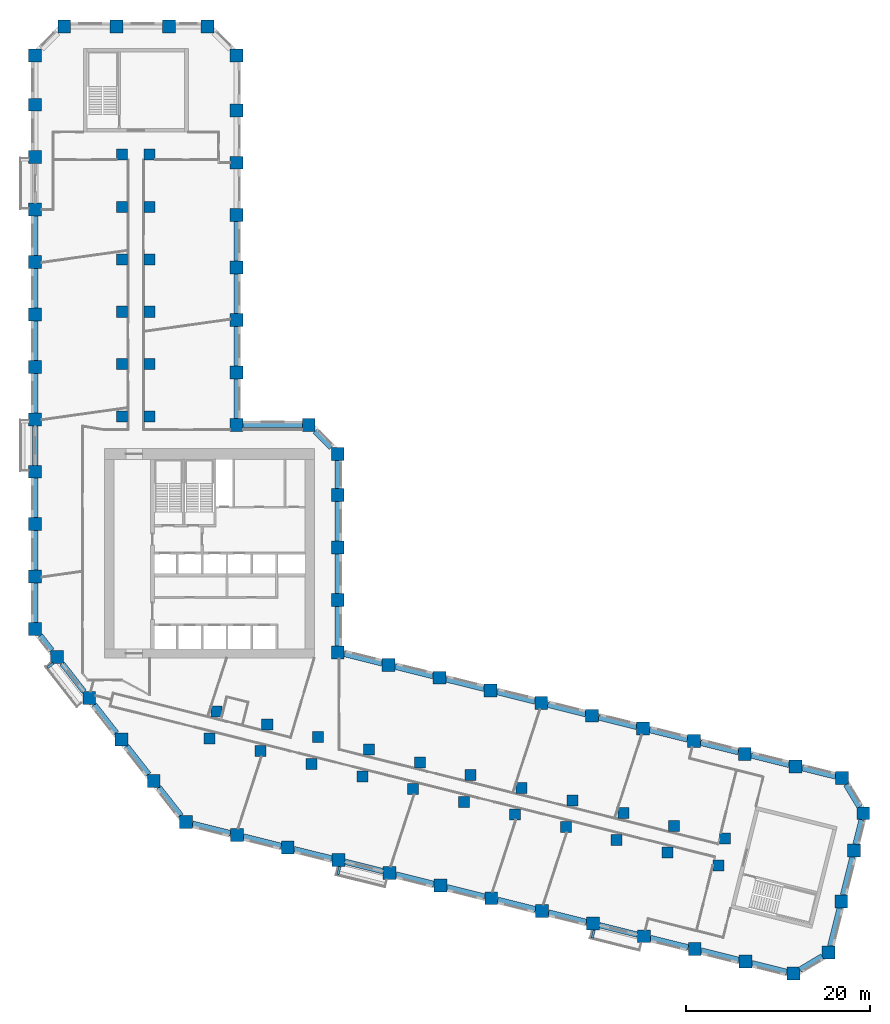
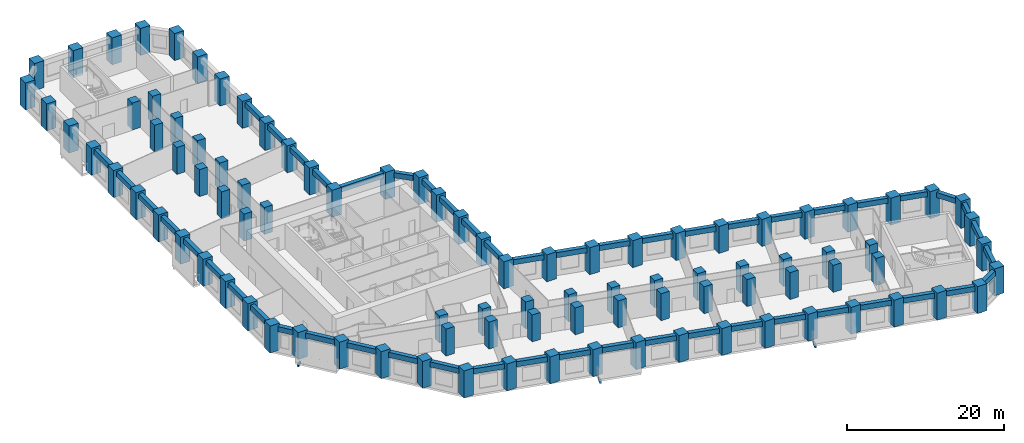
# One storey, part 1 of 12: 95 columns, 53 beams.
"""IFC4 building model written with IfcOpenShell, lengths in metres."""

import ifcopenshell
import ifcopenshell.guid

model = None  # the IFC model being written
_history = None  # IfcOwnerHistory: only IFC2X3 demands one
_inside = {}  # id of a spatial element -> (the spatial element, [elements in it])
_under = {}  # id of a project, library or spatial element -> (it, [spatial elements below it])
_declared = {}  # id of a project -> (the project, [libraries it declares])
_typed = {}  # id of a type object -> (the type object, [elements of that type])
_made_of = {}  # id of a material, layer set ... -> (it, [elements and type objects made of it])


def new_model(schema):
    """Start an empty IFC model of exactly this schema.

    Asked for "IFC4X3", IfcOpenShell would pick the latest addendum, in which some entities
    have other attributes; the version numbers below select the first issue.
    IFC2X3 requires an IfcOwnerHistory on every rooted entity: one is made here for all.
    """
    global model, _history
    if schema == "IFC4X3":
        model = ifcopenshell.file(schema_version=(4, 3, 0, 0))
    else:
        model = ifcopenshell.file(schema=schema)
    _inside.clear()
    _under.clear()
    _declared.clear()
    _typed.clear()
    _made_of.clear()
    _history = None
    if model.schema == "IFC2X3":
        org = make("IfcOrganization", Name="unknown")
        user = make(
            "IfcPersonAndOrganization",
            ThePerson=make("IfcPerson", FamilyName="unknown"),
            TheOrganization=org,
        )
        app = make(
            "IfcApplication",
            ApplicationDeveloper=org,
            Version="unknown",
            ApplicationFullName="unknown",
            ApplicationIdentifier="unknown",
        )
        _history = make(
            "IfcOwnerHistory",
            OwningUser=user,
            OwningApplication=app,
            ChangeAction="ADDED",
            CreationDate=0,
        )
    return model


def make(cls, **values):
    """One entity of the class cls with the attributes given. An attribute that is None is left unset."""
    return model.create_entity(
        cls, **{name: value for name, value in values.items() if value is not None}
    )


def rooted(cls, **values):
    """An entity with a GlobalId (a new one), such as an element, a storey or a relation."""
    return make(cls, GlobalId=ifcopenshell.guid.new(), OwnerHistory=_history, **values)


def si_unit(unit_type, name, prefix=None):
    """IfcSIUnit, for example si_unit("LENGTHUNIT", "METRE", prefix="MILLI")."""
    return make("IfcSIUnit", UnitType=unit_type, Prefix=prefix, Name=name)


def assignment(units):
    """IfcUnitAssignment: the units of a project."""
    return None if units is None else make("IfcUnitAssignment", Units=units)


def point(xyz):
    """IfcCartesianPoint."""
    return None if xyz is None else make("IfcCartesianPoint", Coordinates=xyz)


def direction(xyz):
    """IfcDirection."""
    return None if xyz is None else make("IfcDirection", DirectionRatios=xyz)


def frame(location, z_axis=None, x_axis=None):
    """IfcAxis2Placement3D, a coordinate frame: its origin and axes. An axis left out is left unset."""
    return make(
        "IfcAxis2Placement3D",
        Location=point(location),
        Axis=direction(z_axis),
        RefDirection=direction(x_axis),
    )


def frame_2d(location, x_axis=None):
    """IfcAxis2Placement2D, a coordinate frame in the plane: its origin and x axis."""
    return make(
        "IfcAxis2Placement2D", Location=point(location), RefDirection=direction(x_axis)
    )


def origin():
    """The frame at (0, 0, 0) with its axes left unset."""
    return frame((0.0, 0.0, 0.0))


def origin_2d():
    """The frame at (0, 0) in the plane with its x axis left unset."""
    return frame_2d((0.0, 0.0))


def place(relative_to, where):
    """IfcLocalPlacement: puts the frame where relative to a parent placement (None: the world)."""
    return make(
        "IfcLocalPlacement", PlacementRelTo=relative_to, RelativePlacement=where
    )


def context(
    kind, dimensions, precision=None, world=None, true_north=None, identifier=None
):
    """IfcGeometricRepresentationContext, for example the 3D "Model" context."""
    return make(
        "IfcGeometricRepresentationContext",
        ContextIdentifier=identifier,
        ContextType=kind,
        CoordinateSpaceDimension=dimensions,
        Precision=precision,
        WorldCoordinateSystem=world,
        TrueNorth=true_north,
    )


def subcontext(parent, identifier, kind, view, scale=None):
    """IfcGeometricRepresentationSubContext, for example "Body" below "Model"."""
    return make(
        "IfcGeometricRepresentationSubContext",
        ContextIdentifier=identifier,
        ContextType=kind,
        ParentContext=parent,
        TargetScale=scale,
        TargetView=view,
    )


def project(units=None, contexts=None):
    """IfcProject with its units and contexts."""
    return rooted(
        "IfcProject",
        Name="project",
        RepresentationContexts=contexts,
        UnitsInContext=assignment(units),
    )


def spatial(cls, under=None, at=None, **own):
    """A site, building, storey or space (cls), placed at a placement, below another one or the project."""
    s = rooted(cls, ObjectPlacement=at, **own)
    if under is not None:
        _under.setdefault(under.id(), (under, []))[1].append(s)
    return s


def profile(cls, at=None, kind="AREA", **sizes):
    """A parametric profile (cls). Its sizes go by their IFC names, for example OverallWidth=200.0."""
    return make(cls, ProfileType=kind, Position=at, **sizes)


def rectangle(**sizes):
    """IfcRectangleProfileDef."""
    return profile("IfcRectangleProfileDef", **sizes)


def extrude(swept, where, along, depth):
    """IfcExtrudedAreaSolid: the profile swept, set in the frame where, extruded along a direction by depth."""
    return make(
        "IfcExtrudedAreaSolid",
        SweptArea=swept,
        Position=where,
        ExtrudedDirection=direction(along),
        Depth=depth,
    )


def shape(context_of_items, identifier, shape_type, items):
    """IfcShapeRepresentation: the items that make up one representation, for example the "Body"."""
    return make(
        "IfcShapeRepresentation",
        ContextOfItems=context_of_items,
        RepresentationIdentifier=identifier,
        RepresentationType=shape_type,
        Items=items,
    )


def material(Name=None, Category=None):
    """IfcMaterial."""
    return make("IfcMaterial", Name=Name, Category=Category)


def material_profile(
    of_material, cross_section, Name=None, Category=None, Priority=None
):
    """IfcMaterialProfile: a cross section and its material."""
    return make(
        "IfcMaterialProfile",
        Name=Name,
        Material=of_material,
        Profile=cross_section,
        Priority=Priority,
        Category=Category,
    )


def profile_set(profiles, Name=None, composite=None):
    """IfcMaterialProfileSet."""
    return make(
        "IfcMaterialProfileSet",
        Name=Name,
        MaterialProfiles=profiles,
        CompositeProfile=composite,
    )


def made_of(thing, what):
    """Note that an element or type object is made of a material, layer set ...; save() writes the relation."""
    if what is not None:
        _made_of.setdefault(what.id(), (what, []))[1].append(thing)
    return thing


def type_object(cls, material=None, **own):
    """A type object (cls), such as IfcWallType, which elements share."""
    return made_of(rooted(cls, **own), material)


def element(
    cls,
    number,
    at=None,
    inside=None,
    cuts=None,
    type_object=None,
    material=None,
    context=None,
    identifier="Body",
    shape_type=None,
    held_by="IfcProductDefinitionShape",
    body=None,
    shapes=None,
    **own,
):
    """One element of the class cls, such as IfcWall. Its Tag is "e" and its number.

    at: its placement. inside: the storey or other place that contains it. cuts: it is an
    opening in that element (IfcRelVoidsElement). A single representation is given by context,
    identifier, shape_type and body (its items); several are given by shapes. held_by: the class
    of the entity that holds the representations. save() writes the other relations.
    """
    e = rooted(cls, Tag="e%d" % number, ObjectPlacement=at, **own)
    if body is not None:
        shapes = [shape(context, identifier, shape_type, body)]
    if shapes is not None:
        e.Representation = make(held_by, Representations=shapes)
    if inside is not None:
        _inside.setdefault(inside.id(), (inside, []))[1].append(e)
    if cuts is not None:
        rooted(
            "IfcRelVoidsElement", RelatingBuildingElement=cuts, RelatedOpeningElement=e
        )
    if type_object is not None:
        _typed.setdefault(type_object.id(), (type_object, []))[1].append(e)
    return made_of(e, material)


def aggregate(whole, parts):
    """IfcRelAggregates: a whole, such as a stair, and the parts it consists of."""
    return rooted("IfcRelAggregates", RelatingObject=whole, RelatedObjects=parts)


def save(model, path):
    """Write the relations noted so far, then the file.

    IfcRelAggregates (storeys below a building ...), IfcRelContainedInSpatialStructure (elements
    in a storey), IfcRelDefinesByType, IfcRelAssociatesMaterial and IfcRelDeclares: one each for
    every whole, place, type object, material and project.
    """
    for whole, parts in _under.values():
        aggregate(whole, parts)
    for where, things in _inside.values():
        rooted(
            "IfcRelContainedInSpatialStructure",
            RelatedElements=things,
            RelatingStructure=where,
        )
    for kind, things in _typed.values():
        rooted("IfcRelDefinesByType", RelatedObjects=things, RelatingType=kind)
    for what, things in _made_of.values():
        rooted("IfcRelAssociatesMaterial", RelatedObjects=things, RelatingMaterial=what)
    for by, libraries in _declared.values():
        rooted("IfcRelDeclares", RelatingContext=by, RelatedDefinitions=libraries)
    model.write(path)


model = new_model("IFC4")

# Units and contexts
model_context = context("Model", 3, precision=1e-05, world=origin(), true_north=direction((0.0, 1.0)))
body_context = subcontext(model_context, "Body", "Model", "MODEL_VIEW")
ifc_project = project(units=[si_unit("LENGTHUNIT", "METRE"), si_unit("AREAUNIT", "SQUARE_METRE"), si_unit("VOLUMEUNIT", "CUBIC_METRE"), si_unit("PLANEANGLEUNIT", "RADIAN"), si_unit("MASSUNIT", "GRAM", prefix="KILO")], contexts=[model_context])

# Site, building, storey
site_placement = place(None, origin())
site = spatial("IfcSite", under=ifc_project, at=site_placement, CompositionType="ELEMENT")
building_placement = place(site_placement, origin())
building = spatial("IfcBuilding", under=site, at=building_placement, Name="Meshkara Civic Tower", CompositionType="ELEMENT")
storey_placement = place(building_placement, frame((0.0, 0.0, 58.199951171875)))
storey = spatial("IfcBuildingStorey", under=building, at=storey_placement, Name="L12", CompositionType="ELEMENT", Elevation=58.199951171875)

# Columns
ifc_material_1 = material(Name="Concrete C80", Category="concrete")
ifc_material_profile_1 = material_profile(ifc_material_1, rectangle(XDim=1.199951171875, YDim=1.199951171875, at=origin_2d()))
ifc_profile_set_1 = profile_set([ifc_material_profile_1], Name="Concrete C80")
column_type_1 = type_object("IfcColumnType", Name="Interior column RC 1200x1200 C80", PredefinedType="COLUMN", material=ifc_profile_set_1)
for number, where, z_axis, x_axis, name in (
    (1, (9.89990234375, 40.35009765625, 0.0), (0.0, 0.0, 1.0), (1.0, 0.0, 0.0), "Column SA1-04 L12"),
    (2, (9.89990234375, 46.050048828125, 0.0), (0.0, 0.0, 1.0), (1.0, 0.0, 0.0), "Column SA1-05 L12"),
    (3, (9.89990234375, 51.75, 0.0), (0.0, 0.0, 1.0), (1.0, 0.0, 0.0), "Column SA1-06 L12"),
    (4, (9.89990234375, 57.449951171875, 0.0), (0.0, 0.0, 1.0), (1.0, 0.0, 0.0), "Column SA1-07 L12"),
    (5, (9.89990234375, 63.14990234375, 0.0), (0.0, 0.0, 1.0), (1.0, 0.0, 0.0), "Column SA1-08 L12"),
    (6, (9.89990234375, 68.85009765625, 0.0), (0.0, 0.0, 1.0), (1.0, 0.0, 0.0), "Column SA1-09 L12"),
    (7, (12.89990234375, 40.35009765625, 0.0), (0.0, 0.0, 1.0), (1.0, 0.0, 0.0), "Column SA2-04 L12"),
    (8, (12.89990234375, 46.050048828125, 0.0), (0.0, 0.0, 1.0), (1.0, 0.0, 0.0), "Column SA2-05 L12"),
    (9, (12.89990234375, 51.75, 0.0), (0.0, 0.0, 1.0), (1.0, 0.0, 0.0), "Column SA2-06 L12"),
    (10, (12.89990234375, 57.449951171875, 0.0), (0.0, 0.0, 1.0), (1.0, 0.0, 0.0), "Column SA2-07 L12"),
    (11, (12.89990234375, 63.14990234375, 0.0), (0.0, 0.0, 1.0), (1.0, 0.0, 0.0), "Column SA2-08 L12"),
    (12, (12.89990234375, 68.85009765625, 0.0), (0.0, 0.0, 1.0), (1.0, 0.0, 0.0), "Column SA2-09 L12"),
    (13, (19.424072265625, 5.360107421875, 0.0), (0.0, 0.0, 1.0), (1.0, 0.0, 0.0), "Column SB1-00 L12"),
    (14, (24.9541015625, 3.98095703125, 0.0), (0.0, 0.0, 1.0), (1.0, 0.0, 0.0), "Column SB1-01 L12"),
    (15, (30.485107421875, 2.60205078125, 0.0), (0.0, 0.0, 1.0), (1.0, 0.0, 0.0), "Column SB1-02 L12"),
    (16, (36.01611328125, 1.222900390625, 0.0), (0.0, 0.0, 1.0), (1.0, 0.0, 0.0), "Column SB1-03 L12"),
    (17, (41.5458984375, -0.156005859375, 0.0), (0.0, 0.0, 1.0), (1.0, 0.0, 0.0), "Column SB1-04 L12"),
    (18, (47.076904296875, -1.534912109375, 0.0), (0.0, 0.0, 1.0), (1.0, 0.0, 0.0), "Column SB1-05 L12"),
    (19, (52.60791015625, -2.9140625, 0.0), (0.0, 0.0, 1.0), (1.0, 0.0, 0.0), "Column SB1-06 L12"),
    (20, (58.138916015625, -4.2919921875, 0.0), (0.0, 0.0, 1.0), (1.0, 0.0, 0.0), "Column SB1-07 L12"),
    (21, (63.6689453125, -5.6708984375, 0.0), (0.0, 0.0, 1.0), (1.0, 0.0, 0.0), "Column SB1-08 L12"),
    (22, (69.199951171875, -7.050048828125, 0.0), (0.0, 0.0, 1.0), (1.0, 0.0, 0.0), "Column SB1-09 L12"),
    (23, (74.73095703125, -8.428955078125, 0.0), (0.0, 0.0, 1.0), (1.0, 0.0, 0.0), "Column SB1-10 L12"),
    (24, (20.14892578125, 8.27099609375, 0.0), (0.0, 0.0, 1.0), (1.0, 0.0, 0.0), "Column SB2-00 L12"),
    (25, (25.679931640625, 6.89208984375, 0.0), (0.0, 0.0, 1.0), (1.0, 0.0, 0.0), "Column SB2-01 L12"),
    (26, (31.2109375, 5.512939453125, 0.0), (0.0, 0.0, 1.0), (1.0, 0.0, 0.0), "Column SB2-02 L12"),
    (27, (36.741943359375, 4.134033203125, 0.0), (0.0, 0.0, 1.0), (1.0, 0.0, 0.0), "Column SB2-03 L12"),
    (28, (42.27197265625, 2.7548828125, 0.0), (0.0, 0.0, 1.0), (1.0, 0.0, 0.0), "Column SB2-04 L12"),
    (29, (47.802978515625, 1.3759765625, 0.0), (0.0, 0.0, 1.0), (1.0, 0.0, 0.0), "Column SB2-05 L12"),
    (30, (53.333984375, -0.0029296875, 0.0), (0.0, 0.0, 1.0), (1.0, 0.0, 0.0), "Column SB2-06 L12"),
    (31, (58.864013671875, -1.382080078125, 0.0), (0.0, 0.0, 1.0), (1.0, 0.0, 0.0), "Column SB2-07 L12"),
    (32, (64.39501953125, -2.760986328125, 0.0), (0.0, 0.0, 1.0), (1.0, 0.0, 0.0), "Column SB2-08 L12"),
    (33, (69.926025390625, -4.139892578125, 0.0), (0.0, 0.0, 1.0), (1.0, 0.0, 0.0), "Column SB2-09 L12"),
    (34, (75.4560546875, -5.51806640625, 0.0), (0.0, 0.0, 1.0), (1.0, 0.0, 0.0), "Column SB2-10 L12"),
):
    element("IfcColumn", number, at=place(storey_placement, frame(where, z_axis=z_axis, x_axis=x_axis)), inside=storey, type_object=column_type_1, Name=name, PredefinedType="COLUMN", context=body_context, shape_type="SweptSolid", body=[
        extrude(rectangle(XDim=1.199951171875, YDim=1.199951171875, at=origin_2d()), origin(), (0.0, 0.0, 1.0), 4.199951171875),
    ])
ifc_material_2 = material(Name="Concrete C80", Category="concrete")
ifc_material_profile_2 = material_profile(ifc_material_2, rectangle(XDim=1.39990234375, YDim=1.39990234375, at=origin_2d()))
ifc_profile_set_2 = profile_set([ifc_material_profile_2], Name="Concrete C80")
column_type_2 = type_object("IfcColumnType", Name="Perimeter column RC 1400x1400 C80", PredefinedType="COLUMN", material=ifc_profile_set_2)
for number, where, z_axis, x_axis, name in (
    (35, (33.35009765625, 14.718994140625, 0.0), (0.0, 0.0, 1.0), (1.0, 0.0, 0.0), "Column HE00 L12"),
    (36, (33.35009765625, 20.4189453125, 0.0), (0.0, 0.0, 1.0), (1.0, 0.0, 0.0), "Column HE01 L12"),
    (37, (33.35009765625, 26.118896484375, 0.0), (0.0, 0.0, 1.0), (1.0, 0.0, 0.0), "Column HE02 L12"),
    (38, (33.35009765625, 31.819091796875, 0.0), (0.0, 0.0, 1.0), (1.0, 0.0, 0.0), "Column HE03 L12"),
    (39, (33.35009765625, 36.2939453125, 0.0), (0.0, 0.0, 1.0), (1.0, 0.0, 0.0), "Column HEE L12"),
    (40, (30.194091796875, 39.449951171875, 0.0), (0.0, 0.0, 1.0), (1.0, 0.0, 0.0), "Column HCeE L12"),
    (41, (22.35009765625, 39.449951171875, 0.0), (0.0, 0.0, 1.0), (1.0, 0.0, 0.0), "Column HN00 L12"),
    (42, (22.35009765625, 45.14990234375, 0.0), (0.0, 0.0, 1.0), (1.0, 0.0, 0.0), "Column AE01 L12"),
    (43, (22.35009765625, 50.85009765625, 0.0), (0.0, 0.0, 1.0), (1.0, 0.0, 0.0), "Column AE02 L12"),
    (44, (22.35009765625, 56.550048828125, 0.0), (0.0, 0.0, 1.0), (1.0, 0.0, 0.0), "Column AE03 L12"),
    (45, (22.35009765625, 62.25, 0.0), (0.0, 0.0, 1.0), (1.0, 0.0, 0.0), "Column AE04 L12"),
    (46, (22.35009765625, 67.949951171875, 0.0), (0.0, 0.0, 1.0), (1.0, 0.0, 0.0), "Column AE05 L12"),
    (47, (22.35009765625, 73.64990234375, 0.0), (0.0, 0.0, 1.0), (1.0, 0.0, 0.0), "Column AE06 L12"),
    (48, (22.35009765625, 79.614013671875, 0.0), (0.0, 0.0, 1.0), (1.0, 0.0, 0.0), "Column AEE L12"),
    (49, (19.194091796875, 82.77001953125, 0.0), (0.0, 0.0, 1.0), (1.0, 0.0, 0.0), "Column ATiE L12"),
    (50, (3.60595703125, 82.77001953125, 0.0), (0.0, 0.0, 1.0), (1.0, 0.0, 0.0), "Column AT00 L12"),
    (51, (9.305908203125, 82.77001953125, 0.0), (0.0, 0.0, 1.0), (1.0, 0.0, 0.0), "Column AT01 L12"),
    (52, (15.006103515625, 82.77001953125, 0.0), (0.0, 0.0, 1.0), (1.0, 0.0, 0.0), "Column AT02 L12"),
    (53, (0.449951171875, 79.614013671875, 0.0), (0.0, 0.0, 1.0), (1.0, 0.0, 0.0), "Column ATo00 L12"),
    (54, (0.449951171875, 17.2548828125, 0.0), (0.0, 0.0, 1.0), (1.0, 0.0, 0.0), "Column AW00 L12"),
    (55, (0.449951171875, 22.955078125, 0.0), (0.0, 0.0, 1.0), (1.0, 0.0, 0.0), "Column AW01 L12"),
    (56, (0.449951171875, 28.655029296875, 0.0), (0.0, 0.0, 1.0), (1.0, 0.0, 0.0), "Column AW02 L12"),
    (57, (0.449951171875, 34.35498046875, 0.0), (0.0, 0.0, 1.0), (1.0, 0.0, 0.0), "Column AW03 L12"),
    (58, (0.449951171875, 40.054931640625, 0.0), (0.0, 0.0, 1.0), (1.0, 0.0, 0.0), "Column AW04 L12"),
    (59, (0.449951171875, 45.7548828125, 0.0), (0.0, 0.0, 1.0), (1.0, 0.0, 0.0), "Column AW05 L12"),
    (60, (0.449951171875, 51.455078125, 0.0), (0.0, 0.0, 1.0), (1.0, 0.0, 0.0), "Column AW06 L12"),
    (61, (0.449951171875, 57.155029296875, 0.0), (0.0, 0.0, 1.0), (1.0, 0.0, 0.0), "Column AW07 L12"),
    (62, (0.449951171875, 62.85498046875, 0.0), (0.0, 0.0, 1.0), (1.0, 0.0, 0.0), "Column AW08 L12"),
    (63, (0.449951171875, 68.554931640625, 0.0), (0.0, 0.0, 1.0), (1.0, 0.0, 0.0), "Column AW09 L12"),
    (64, (0.449951171875, 74.2548828125, 0.0), (0.0, 0.0, 1.0), (1.0, 0.0, 0.0), "Column AW10 L12"),
    (65, (16.85107421875, -3.738037109375, 0.0), (0.0, 0.0, 1.0), (1.0, 0.0, 0.0), "Column BOW00 L12"),
    (66, (13.342041015625, 0.75390625, 0.0), (0.0, 0.0, 1.0), (1.0, 0.0, 0.0), "Column BOW01 L12"),
    (67, (9.8330078125, 5.2451171875, 0.0), (0.0, 0.0, 1.0), (1.0, 0.0, 0.0), "Column BOW02 L12"),
    (68, (6.322998046875, 9.737060546875, 0.0), (0.0, 0.0, 1.0), (1.0, 0.0, 0.0), "Column BOW03 L12"),
    (69, (2.81396484375, 14.22900390625, 0.0), (0.0, 0.0, 1.0), (1.0, 0.0, 0.0), "Column BOW04 L12"),
    (70, (22.382080078125, -5.116943359375, 0.0), (0.0, 0.0, 1.0), (1.0, 0.0, 0.0), "Column BS01 L12"),
    (71, (27.912109375, -6.49609375, 0.0), (0.0, 0.0, 1.0), (1.0, 0.0, 0.0), "Column BS02 L12"),
    (72, (33.443115234375, -7.875, 0.0), (0.0, 0.0, 1.0), (1.0, 0.0, 0.0), "Column BS03 L12"),
    (73, (38.97412109375, -9.25390625, 0.0), (0.0, 0.0, 1.0), (1.0, 0.0, 0.0), "Column BS04 L12"),
    (74, (44.5048828125, -10.632080078125, 0.0), (0.0, 0.0, 1.0), (1.0, 0.0, 0.0), "Column BS05 L12"),
    (75, (50.034912109375, -12.010986328125, 0.0), (0.0, 0.0, 1.0), (1.0, 0.0, 0.0), "Column BS06 L12"),
    (76, (55.56591796875, -13.389892578125, 0.0), (0.0, 0.0, 1.0), (1.0, 0.0, 0.0), "Column BS07 L12"),
    (77, (61.096923828125, -14.76904296875, 0.0), (0.0, 0.0, 1.0), (1.0, 0.0, 0.0), "Column BS08 L12"),
    (78, (66.626953125, -16.14794921875, 0.0), (0.0, 0.0, 1.0), (1.0, 0.0, 0.0), "Column BS09 L12"),
    (79, (72.157958984375, -17.527099609375, 0.0), (0.0, 0.0, 1.0), (1.0, 0.0, 0.0), "Column BS10 L12"),
    (80, (77.68896484375, -18.906005859375, 0.0), (0.0, 0.0, 1.0), (1.0, 0.0, 0.0), "Column BS11 L12"),
    (81, (82.887939453125, -20.201904296875, 0.0), (0.0, 0.0, 1.0), (1.0, 0.0, 0.0), "Column BSE L12"),
    (82, (86.714111328125, -17.903076171875, 0.0), (0.0, 0.0, 1.0), (1.0, 0.0, 0.0), "Column BToE L12"),
    (83, (88.093017578125, -12.3720703125, 0.0), (0.0, 0.0, 1.0), (1.0, 0.0, 0.0), "Column BT01 L12"),
    (84, (89.471923828125, -6.842041015625, 0.0), (0.0, 0.0, 1.0), (1.0, 0.0, 0.0), "Column BT02 L12"),
    (85, (90.485107421875, -2.779052734375, 0.0), (0.0, 0.0, 1.0), (1.0, 0.0, 0.0), "Column BTE L12"),
    (86, (88.18603515625, 1.0458984375, 0.0), (0.0, 0.0, 1.0), (1.0, 0.0, 0.0), "Column BTi00 L12"),
    (87, (38.881103515625, 13.340087890625, 0.0), (0.0, 0.0, 1.0), (1.0, 0.0, 0.0), "Column BN01 L12"),
    (88, (44.410888671875, 11.9609375, 0.0), (0.0, 0.0, 1.0), (1.0, 0.0, 0.0), "Column BN02 L12"),
    (89, (49.94189453125, 10.58203125, 0.0), (0.0, 0.0, 1.0), (1.0, 0.0, 0.0), "Column BN03 L12"),
    (90, (55.472900390625, 9.202880859375, 0.0), (0.0, 0.0, 1.0), (1.0, 0.0, 0.0), "Column BN04 L12"),
    (91, (61.0029296875, 7.823974609375, 0.0), (0.0, 0.0, 1.0), (1.0, 0.0, 0.0), "Column BN05 L12"),
    (92, (66.533935546875, 6.445068359375, 0.0), (0.0, 0.0, 1.0), (1.0, 0.0, 0.0), "Column BN06 L12"),
    (93, (72.06494140625, 5.06591796875, 0.0), (0.0, 0.0, 1.0), (1.0, 0.0, 0.0), "Column BN07 L12"),
    (94, (77.594970703125, 3.68701171875, 0.0), (0.0, 0.0, 1.0), (1.0, 0.0, 0.0), "Column BN08 L12"),
    (95, (83.1259765625, 2.30810546875, 0.0), (0.0, 0.0, 1.0), (1.0, 0.0, 0.0), "Column BN09 L12"),
):
    element("IfcColumn", number, at=place(storey_placement, frame(where, z_axis=z_axis, x_axis=x_axis)), inside=storey, type_object=column_type_2, Name=name, PredefinedType="COLUMN", context=body_context, shape_type="SweptSolid", body=[
        extrude(rectangle(XDim=1.39990234375, YDim=1.39990234375, at=origin_2d()), origin(), (0.0, 0.0, 1.0), 4.199951171875),
    ])

# Beams
ifc_material_3 = material(Name="Concrete C50", Category="concrete")
ifc_material_profile_3 = material_profile(ifc_material_3, rectangle(XDim=0.25, YDim=0.39990234375, at=origin_2d()))
ifc_profile_set_3 = profile_set([ifc_material_profile_3], Name="Concrete C50")
beam_type_1 = type_object("IfcBeamType", Name="Balcony bracket beam RC 250x400 C50", PredefinedType="BEAM", material=ifc_profile_set_3)
beam_1_placement = place(storey_placement, frame((2.408935546875, 13.531982421875, -0.5), z_axis=(-0.787858193001, -0.615856694143, 0.0), x_axis=(0.615856694143, -0.787858193001, 0.0)))
element("IfcBeam", 96, at=beam_1_placement, inside=storey, type_object=beam_type_1, Name="Balcony bracket beam", PredefinedType="BEAM", context=body_context, shape_type="SweptSolid", body=[
    extrude(rectangle(XDim=0.25, YDim=0.39990234375, at=origin_2d()), origin(), (0.0, 0.0, 1.0), 0.802001953125),
])
beam_2_placement = place(storey_placement, frame((33.5791015625, -8.570068359375, -0.5), z_axis=(-0.242535625036, -0.970142500145, 0.0), x_axis=(0.970142500145, -0.242535625036, 0.0)))
element("IfcBeam", 97, at=beam_2_placement, inside=storey, type_object=beam_type_1, Name="Balcony bracket beam", PredefinedType="BEAM", context=body_context, shape_type="SweptSolid", body=[
    extrude(rectangle(XDim=0.25, YDim=0.39990234375, at=origin_2d()), origin(), (0.0, 0.0, 1.0), 0.907958984375),
])
beam_3_placement = place(storey_placement, frame((61.23291015625, -15.464111328125, -0.5), z_axis=(-0.242029947494, -0.970268779522, 0.0), x_axis=(0.970268779522, -0.242029947494, 0.0)))
element("IfcBeam", 98, at=beam_3_placement, inside=storey, type_object=beam_type_1, Name="Balcony bracket beam", PredefinedType="BEAM", context=body_context, shape_type="SweptSolid", body=[
    extrude(rectangle(XDim=0.25, YDim=0.39990234375, at=origin_2d()), origin(), (0.0, 0.0, 1.0), 0.908935546875),
])
ifc_material_4 = material(Name="Concrete C70", Category="concrete")
ifc_material_profile_4 = material_profile(ifc_material_4, rectangle(XDim=0.60009765625, YDim=0.800048828125, at=origin_2d()))
ifc_profile_set_4 = profile_set([ifc_material_profile_4], Name="Concrete C70")
beam_type_2 = type_object("IfcBeamType", Name="Spandrel beam RC 600x800 C70", PredefinedType="BEAM", material=ifc_profile_set_4)
beam_4_placement = place(storey_placement, frame((82.430908203125, 2.481201171875, 3.5), z_axis=(-0.97029374225, 0.241929852955, 0.0), x_axis=(-0.241929852955, -0.97029374225, 0.0)))
element("IfcBeam", 99, at=beam_4_placement, inside=storey, type_object=beam_type_2, Name="Spandrel beam BN08-BN09", PredefinedType="BEAM", context=body_context, shape_type="SweptSolid", body=[
    extrude(rectangle(XDim=0.60009765625, YDim=0.800048828125, at=origin_2d()), origin(), (0.0, 0.0, 1.0), 4.267578125),
])
beam_5_placement = place(storey_placement, frame((76.89990234375, 3.8603515625, 3.5), z_axis=(-0.970293777887, 0.241929710026, 0.0), x_axis=(-0.241929710026, -0.970293777887, 0.0)))
element("IfcBeam", 100, at=beam_5_placement, inside=storey, type_object=beam_type_2, Name="Spandrel beam BN07-BN08", PredefinedType="BEAM", context=body_context, shape_type="SweptSolid", body=[
    extrude(rectangle(XDim=0.60009765625, YDim=0.800048828125, at=origin_2d()), origin(), (0.0, 0.0, 1.0), 4.2666015625),
])
for number, where, z_axis, x_axis, name in (
    (101, (71.369873046875, 5.2392578125, 3.5), (-0.97029374225, 0.241929852955, 0.0), (-0.241929852955, -0.97029374225, 0.0), "Spandrel beam BN06-BN07"),
    (102, (65.8388671875, 6.618408203125, 3.5), (-0.970307169965, 0.241875992843, 0.0), (-0.241875992843, -0.970307169965, 0.0), "Spandrel beam BN05-BN06"),
):
    element("IfcBeam", number, at=place(storey_placement, frame(where, z_axis=z_axis, x_axis=x_axis)), inside=storey, type_object=beam_type_2, Name=name, PredefinedType="BEAM", context=body_context, shape_type="SweptSolid", body=[
        extrude(rectangle(XDim=0.60009765625, YDim=0.800048828125, at=origin_2d()), origin(), (0.0, 0.0, 1.0), 4.267578125),
    ])
beam_6_placement = place(storey_placement, frame((60.307861328125, 7.997314453125, 3.5), z_axis=(-0.970276993533, 0.241997016139, 0.0), x_axis=(-0.241997016139, -0.970276993533, 0.0)))
element("IfcBeam", 103, at=beam_6_placement, inside=storey, type_object=beam_type_2, Name="Spandrel beam BN04-BN05", PredefinedType="BEAM", context=body_context, shape_type="SweptSolid", body=[
    extrude(rectangle(XDim=0.60009765625, YDim=0.800048828125, at=origin_2d()), origin(), (0.0, 0.0, 1.0), 4.266357421875),
])
for number, where, z_axis, x_axis, name in (
    (104, (54.77783203125, 9.376220703125, 3.5), (-0.970290393622, 0.241943282702, 0.0), (-0.241943282702, -0.970290393622, 0.0), "Spandrel beam BN03-BN04"),
    (105, (49.246826171875, 10.75537109375, 3.5), (-0.970303822782, 0.241889419972, 0.0), (-0.241889419972, -0.970303822782, 0.0), "Spandrel beam BN02-BN03"),
):
    element("IfcBeam", number, at=place(storey_placement, frame(where, z_axis=z_axis, x_axis=x_axis)), inside=storey, type_object=beam_type_2, Name=name, PredefinedType="BEAM", context=body_context, shape_type="SweptSolid", body=[
        extrude(rectangle(XDim=0.60009765625, YDim=0.800048828125, at=origin_2d()), origin(), (0.0, 0.0, 1.0), 4.267333984375),
    ])
beam_7_placement = place(storey_placement, frame((43.7158203125, 12.13427734375, 3.5), z_axis=(-0.970276993533, 0.241997016139, 0.0), x_axis=(-0.241997016139, -0.970276993533, 0.0)))
element("IfcBeam", 106, at=beam_7_placement, inside=storey, type_object=beam_type_2, Name="Spandrel beam BN01-BN02", PredefinedType="BEAM", context=body_context, shape_type="SweptSolid", body=[
    extrude(rectangle(XDim=0.60009765625, YDim=0.800048828125, at=origin_2d()), origin(), (0.0, 0.0, 1.0), 4.266357421875),
])
beam_8_placement = place(storey_placement, frame((38.185791015625, 13.51318359375, 3.5), z_axis=(-0.970290393622, 0.241943282702, 0.0), x_axis=(-0.241943282702, -0.970290393622, 0.0)))
element("IfcBeam", 107, at=beam_8_placement, inside=storey, type_object=beam_type_2, Name="Spandrel beam BN01-HE00", PredefinedType="BEAM", context=body_context, shape_type="SweptSolid", body=[
    extrude(rectangle(XDim=0.60009765625, YDim=0.800048828125, at=origin_2d()), origin(), (0.0, 0.0, 1.0), 4.267333984375),
])
for number, where, z_axis, x_axis, name in (
    (108, (33.35009765625, 15.4140625, 3.5), (0.0, 1.0, 0.0), (-1.0, 0.0, 0.0), "Spandrel beam HE00-HE01"),
    (109, (33.35009765625, 21.114013671875, 3.5), (0.0, 1.0, 0.0), (-1.0, 0.0, 0.0), "Spandrel beam HE01-HE02"),
    (110, (33.35009765625, 26.81396484375, 3.5), (0.0, 1.0, 0.0), (-1.0, 0.0, 0.0), "Spandrel beam HE02-HE03"),
):
    element("IfcBeam", number, at=place(storey_placement, frame(where, z_axis=z_axis, x_axis=x_axis)), inside=storey, type_object=beam_type_2, Name=name, PredefinedType="BEAM", context=body_context, shape_type="SweptSolid", body=[
        extrude(rectangle(XDim=0.60009765625, YDim=0.800048828125, at=origin_2d()), origin(), (0.0, 0.0, 1.0), 4.31005859375),
    ])
beam_9_placement = place(storey_placement, frame((33.35009765625, 32.513916015625, 3.5), z_axis=(0.0, 1.0, 0.0), x_axis=(-1.0, 0.0, 0.0)))
element("IfcBeam", 111, at=beam_9_placement, inside=storey, type_object=beam_type_2, Name="Spandrel beam HE03-HEE", PredefinedType="BEAM", context=body_context, shape_type="SweptSolid", body=[
    extrude(rectangle(XDim=0.60009765625, YDim=0.800048828125, at=origin_2d()), origin(), (0.0, 0.0, 1.0), 3.085205078125),
])
beam_10_placement = place(storey_placement, frame((32.653564453125, 36.990478515625, 3.5), z_axis=(-0.707155737934, 0.70705782105, 0.0), x_axis=(-0.70705782105, -0.707155737934, 0.0)))
element("IfcBeam", 112, at=beam_10_placement, inside=storey, type_object=beam_type_2, Name="Spandrel beam HCeE-HEE", PredefinedType="BEAM", context=body_context, shape_type="SweptSolid", body=[
    extrude(rectangle(XDim=0.60009765625, YDim=0.800048828125, at=origin_2d()), origin(), (0.0, 0.0, 1.0), 2.493408203125),
])
beam_11_placement = place(storey_placement, frame((29.4990234375, 39.449951171875, 3.5), z_axis=(-1.0, 0.0, 0.0), x_axis=(0.0, -1.0, 0.0)))
element("IfcBeam", 113, at=beam_11_placement, inside=storey, type_object=beam_type_2, Name="Spandrel beam HCeE-HN00", PredefinedType="BEAM", context=body_context, shape_type="SweptSolid", body=[
    extrude(rectangle(XDim=0.60009765625, YDim=0.800048828125, at=origin_2d()), origin(), (0.0, 0.0, 1.0), 6.4541015625),
])
for number, where, z_axis, x_axis, name in (
    (114, (22.35009765625, 40.14501953125, 3.5), (0.0, 1.0, 0.0), (-1.0, 0.0, 0.0), "Spandrel beam AE01-HN00"),
    (115, (22.35009765625, 45.844970703125, 3.5), (0.0, 1.0, 0.0), (-1.0, 0.0, 0.0), "Spandrel beam AE01-AE02"),
    (116, (22.35009765625, 51.544921875, 3.5), (0.0, 1.0, 0.0), (-1.0, 0.0, 0.0), "Spandrel beam AE02-AE03"),
):
    element("IfcBeam", number, at=place(storey_placement, frame(where, z_axis=z_axis, x_axis=x_axis)), inside=storey, type_object=beam_type_2, Name=name, PredefinedType="BEAM", context=body_context, shape_type="SweptSolid", body=[
        extrude(rectangle(XDim=0.60009765625, YDim=0.800048828125, at=origin_2d()), origin(), (0.0, 0.0, 1.0), 4.31005859375),
    ])
for number, where, z_axis, x_axis, name in (
    (117, (22.35009765625, 57.2451171875, 3.5), (0.0, 1.0, 0.0), (-1.0, 0.0, 0.0), "Spandrel beam AE03-AE04"),
    (118, (0.449951171875, 62.159912109375, 3.5), (0.0, -1.0, 0.0), (1.0, 0.0, 0.0), "Spandrel beam AW07-AW08"),
):
    element("IfcBeam", number, at=place(storey_placement, frame(where, z_axis=z_axis, x_axis=x_axis)), inside=storey, type_object=beam_type_2, Name=name, PredefinedType="BEAM", context=body_context, shape_type="SweptSolid", body=[
        extrude(rectangle(XDim=0.60009765625, YDim=0.800048828125, at=origin_2d()), origin(), (0.0, 0.0, 1.0), 4.309814453125),
    ])
for number, where, z_axis, x_axis, name in (
    (119, (0.449951171875, 56.4599609375, 3.5), (0.0, -1.0, 0.0), (1.0, 0.0, 0.0), "Spandrel beam AW06-AW07"),
    (120, (0.449951171875, 50.760009765625, 3.5), (0.0, -1.0, 0.0), (1.0, 0.0, 0.0), "Spandrel beam AW05-AW06"),
    (121, (0.449951171875, 45.06005859375, 3.5), (0.0, -1.0, 0.0), (1.0, 0.0, 0.0), "Spandrel beam AW04-AW05"),
    (122, (0.449951171875, 39.360107421875, 3.5), (0.0, -1.0, 0.0), (1.0, 0.0, 0.0), "Spandrel beam AW03-AW04"),
):
    element("IfcBeam", number, at=place(storey_placement, frame(where, z_axis=z_axis, x_axis=x_axis)), inside=storey, type_object=beam_type_2, Name=name, PredefinedType="BEAM", context=body_context, shape_type="SweptSolid", body=[
        extrude(rectangle(XDim=0.60009765625, YDim=0.800048828125, at=origin_2d()), origin(), (0.0, 0.0, 1.0), 4.31005859375),
    ])
beam_12_placement = place(storey_placement, frame((0.449951171875, 33.659912109375, 3.5), z_axis=(0.0, -1.0, 0.0), x_axis=(1.0, 0.0, 0.0)))
element("IfcBeam", 123, at=beam_12_placement, inside=storey, type_object=beam_type_2, Name="Spandrel beam AW02-AW03", PredefinedType="BEAM", context=body_context, shape_type="SweptSolid", body=[
    extrude(rectangle(XDim=0.60009765625, YDim=0.800048828125, at=origin_2d()), origin(), (0.0, 0.0, 1.0), 4.309814453125),
])
for number, where, z_axis, x_axis, name in (
    (124, (0.449951171875, 27.9599609375, 3.5), (0.0, -1.0, 0.0), (1.0, 0.0, 0.0), "Spandrel beam AW01-AW02"),
    (125, (0.449951171875, 22.260009765625, 3.5), (0.0, -1.0, 0.0), (1.0, 0.0, 0.0), "Spandrel beam AW00-AW01"),
):
    element("IfcBeam", number, at=place(storey_placement, frame(where, z_axis=z_axis, x_axis=x_axis)), inside=storey, type_object=beam_type_2, Name=name, PredefinedType="BEAM", context=body_context, shape_type="SweptSolid", body=[
        extrude(rectangle(XDim=0.60009765625, YDim=0.800048828125, at=origin_2d()), origin(), (0.0, 0.0, 1.0), 4.31005859375),
    ])
beam_13_placement = place(storey_placement, frame((0.993896484375, 16.558837890625, 3.5), z_axis=(0.615634901283, -0.788031514803, 0.0), x_axis=(0.788031514803, 0.615634901283, 0.0)))
element("IfcBeam", 126, at=beam_13_placement, inside=storey, type_object=beam_type_2, Name="Spandrel beam AW00-BOW04", PredefinedType="BEAM", context=body_context, shape_type="SweptSolid", body=[
    extrude(rectangle(XDim=0.60009765625, YDim=0.800048828125, at=origin_2d()), origin(), (0.0, 0.0, 1.0), 2.0732421875),
])
beam_14_placement = place(storey_placement, frame((3.357666015625, 13.532958984375, 3.5), z_axis=(0.615623566685, -0.788040369614, 0.0), x_axis=(0.788040369614, 0.615623566685, 0.0)))
element("IfcBeam", 127, at=beam_14_placement, inside=storey, type_object=beam_type_2, Name="Spandrel beam BOW03-BOW04", PredefinedType="BEAM", context=body_context, shape_type="SweptSolid", body=[
    extrude(rectangle(XDim=0.60009765625, YDim=0.800048828125, at=origin_2d()), origin(), (0.0, 0.0, 1.0), 3.93359375),
])
beam_15_placement = place(storey_placement, frame((6.866943359375, 9.041015625, 3.5), z_axis=(0.61570064363, -0.787980150406, 0.0), x_axis=(0.787980150406, 0.61570064363, 0.0)))
element("IfcBeam", 128, at=beam_15_placement, inside=storey, type_object=beam_type_2, Name="Spandrel beam BOW02-BOW03", PredefinedType="BEAM", context=body_context, shape_type="SweptSolid", body=[
    extrude(rectangle(XDim=0.60009765625, YDim=0.800048828125, at=origin_2d()), origin(), (0.0, 0.0, 1.0), 3.933837890625),
])
beam_16_placement = place(storey_placement, frame((10.376953125, 4.548828125, 3.5), z_axis=(0.615697051917, -0.787982956834, 0.0), x_axis=(0.787982956834, 0.615697051917, 0.0)))
element("IfcBeam", 129, at=beam_16_placement, inside=storey, type_object=beam_type_2, Name="Spandrel beam BOW01-BOW02", PredefinedType="BEAM", context=body_context, shape_type="SweptSolid", body=[
    extrude(rectangle(XDim=0.60009765625, YDim=0.800048828125, at=origin_2d()), origin(), (0.0, 0.0, 1.0), 3.932373046875),
])
beam_17_placement = place(storey_placement, frame((13.8857421875, 0.057861328125, 3.5), z_axis=(0.615623566685, -0.788040369614, 0.0), x_axis=(0.788040369614, 0.615623566685, 0.0)))
element("IfcBeam", 130, at=beam_17_placement, inside=storey, type_object=beam_type_2, Name="Spandrel beam BOW00-BOW01", PredefinedType="BEAM", context=body_context, shape_type="SweptSolid", body=[
    extrude(rectangle(XDim=0.60009765625, YDim=0.800048828125, at=origin_2d()), origin(), (0.0, 0.0, 1.0), 3.93359375),
])
beam_18_placement = place(storey_placement, frame((17.546142578125, -3.911376953125, 3.5), z_axis=(0.970307169965, -0.241875992843, 0.0), x_axis=(0.241875992843, 0.970307169965, 0.0)))
element("IfcBeam", 131, at=beam_18_placement, inside=storey, type_object=beam_type_2, Name="Spandrel beam BOW00-BS01", PredefinedType="BEAM", context=body_context, shape_type="SweptSolid", body=[
    extrude(rectangle(XDim=0.60009765625, YDim=0.800048828125, at=origin_2d()), origin(), (0.0, 0.0, 1.0), 4.267578125),
])
beam_19_placement = place(storey_placement, frame((23.0771484375, -5.290283203125, 3.5), z_axis=(0.970276993533, -0.241997016139, 0.0), x_axis=(0.241997016139, 0.970276993533, 0.0)))
element("IfcBeam", 132, at=beam_19_placement, inside=storey, type_object=beam_type_2, Name="Spandrel beam BS01-BS02", PredefinedType="BEAM", context=body_context, shape_type="SweptSolid", body=[
    extrude(rectangle(XDim=0.60009765625, YDim=0.800048828125, at=origin_2d()), origin(), (0.0, 0.0, 1.0), 4.266357421875),
])
for number, where, z_axis, x_axis, name in (
    (133, (28.607177734375, -6.669189453125, 3.5), (0.970290393622, -0.241943282702, 0.0), (0.241943282702, 0.970290393622, 0.0), "Spandrel beam BS02-BS03"),
    (134, (34.13818359375, -8.04833984375, 3.5), (0.970290393622, -0.241943282702, 0.0), (0.241943282702, 0.970290393622, 0.0), "Spandrel beam BS03-BS04"),
):
    element("IfcBeam", number, at=place(storey_placement, frame(where, z_axis=z_axis, x_axis=x_axis)), inside=storey, type_object=beam_type_2, Name=name, PredefinedType="BEAM", context=body_context, shape_type="SweptSolid", body=[
        extrude(rectangle(XDim=0.60009765625, YDim=0.800048828125, at=origin_2d()), origin(), (0.0, 0.0, 1.0), 4.267333984375),
    ])
beam_20_placement = place(storey_placement, frame((39.669189453125, -9.42724609375, 3.5), z_axis=(0.97034409455, -0.241727818365, 0.0), x_axis=(0.241727818365, 0.97034409455, 0.0)))
element("IfcBeam", 135, at=beam_20_placement, inside=storey, type_object=beam_type_2, Name="Spandrel beam BS04-BS05", PredefinedType="BEAM", context=body_context, shape_type="SweptSolid", body=[
    extrude(rectangle(XDim=0.60009765625, YDim=0.800048828125, at=origin_2d()), origin(), (0.0, 0.0, 1.0), 4.26708984375),
])
beam_21_placement = place(storey_placement, frame((45.2001953125, -10.805419921875, 3.5), z_axis=(0.970290428474, -0.241943142934, 0.0), x_axis=(0.241943142934, 0.970290428474, 0.0)))
element("IfcBeam", 136, at=beam_21_placement, inside=storey, type_object=beam_type_2, Name="Spandrel beam BS05-BS06", PredefinedType="BEAM", context=body_context, shape_type="SweptSolid", body=[
    extrude(rectangle(XDim=0.60009765625, YDim=0.800048828125, at=origin_2d()), origin(), (0.0, 0.0, 1.0), 4.266357421875),
])
for number, where, z_axis, x_axis, name in (
    (137, (50.72998046875, -12.184326171875, 3.5), (0.97029374225, -0.241929852955, 0.0), (0.241929852955, 0.97029374225, 0.0), "Spandrel beam BS06-BS07"),
    (138, (56.260986328125, -13.563232421875, 3.5), (0.97029374225, -0.241929852955, 0.0), (0.241929852955, 0.97029374225, 0.0), "Spandrel beam BS07-BS08"),
):
    element("IfcBeam", number, at=place(storey_placement, frame(where, z_axis=z_axis, x_axis=x_axis)), inside=storey, type_object=beam_type_2, Name=name, PredefinedType="BEAM", context=body_context, shape_type="SweptSolid", body=[
        extrude(rectangle(XDim=0.60009765625, YDim=0.800048828125, at=origin_2d()), origin(), (0.0, 0.0, 1.0), 4.267578125),
    ])
beam_22_placement = place(storey_placement, frame((61.7919921875, -14.9423828125, 3.5), z_axis=(0.970293777887, -0.241929710026, 0.0), x_axis=(0.241929710026, 0.970293777887, 0.0)))
element("IfcBeam", 139, at=beam_22_placement, inside=storey, type_object=beam_type_2, Name="Spandrel beam BS08-BS09", PredefinedType="BEAM", context=body_context, shape_type="SweptSolid", body=[
    extrude(rectangle(XDim=0.60009765625, YDim=0.800048828125, at=origin_2d()), origin(), (0.0, 0.0, 1.0), 4.2666015625),
])
for number, where, z_axis, x_axis, name in (
    (140, (67.322021484375, -16.3212890625, 3.5), (0.97029374225, -0.241929852955, 0.0), (0.241929852955, 0.97029374225, 0.0), "Spandrel beam BS09-BS10"),
    (141, (72.85302734375, -17.7001953125, 3.5), (0.97029374225, -0.241929852955, 0.0), (0.241929852955, 0.97029374225, 0.0), "Spandrel beam BS10-BS11"),
):
    element("IfcBeam", number, at=place(storey_placement, frame(where, z_axis=z_axis, x_axis=x_axis)), inside=storey, type_object=beam_type_2, Name=name, PredefinedType="BEAM", context=body_context, shape_type="SweptSolid", body=[
        extrude(rectangle(XDim=0.60009765625, YDim=0.800048828125, at=origin_2d()), origin(), (0.0, 0.0, 1.0), 4.267578125),
    ])
beam_23_placement = place(storey_placement, frame((78.384033203125, -19.079345703125, 3.5), z_axis=(0.970306910921, -0.241877032022, 0.0), x_axis=(0.241877032022, 0.970306910921, 0.0)))
element("IfcBeam", 142, at=beam_23_placement, inside=storey, type_object=beam_type_2, Name="Spandrel beam BS11-BSE", PredefinedType="BEAM", context=body_context, shape_type="SweptSolid", body=[
    extrude(rectangle(XDim=0.60009765625, YDim=0.800048828125, at=origin_2d()), origin(), (0.0, 0.0, 1.0), 3.92529296875),
])
beam_24_placement = place(storey_placement, frame((83.583740234375, -19.783935546875, 3.5), z_axis=(0.857159031547, 0.515051836846, 0.0), x_axis=(-0.515051836846, 0.857159031547, 0.0)))
element("IfcBeam", 143, at=beam_24_placement, inside=storey, type_object=beam_type_2, Name="Spandrel beam BSE-BToE", PredefinedType="BEAM", context=body_context, shape_type="SweptSolid", body=[
    extrude(rectangle(XDim=0.60009765625, YDim=0.800048828125, at=origin_2d()), origin(), (0.0, 0.0, 1.0), 2.84033203125),
])
beam_25_placement = place(storey_placement, frame((86.88720703125, -17.2080078125, 3.5), z_axis=(0.241929852955, 0.97029374225, 0.0), x_axis=(-0.97029374225, 0.241929852955, 0.0)))
element("IfcBeam", 144, at=beam_25_placement, inside=storey, type_object=beam_type_2, Name="Spandrel beam BT01-BToE", PredefinedType="BEAM", context=body_context, shape_type="SweptSolid", body=[
    extrude(rectangle(XDim=0.60009765625, YDim=0.800048828125, at=origin_2d()), origin(), (0.0, 0.0, 1.0), 4.267578125),
])
beam_26_placement = place(storey_placement, frame((88.266357421875, -11.677001953125, 3.5), z_axis=(0.241929710026, 0.970293777887, 0.0), x_axis=(-0.970293777887, 0.241929710026, 0.0)))
element("IfcBeam", 145, at=beam_26_placement, inside=storey, type_object=beam_type_2, Name="Spandrel beam BT01-BT02", PredefinedType="BEAM", context=body_context, shape_type="SweptSolid", body=[
    extrude(rectangle(XDim=0.60009765625, YDim=0.800048828125, at=origin_2d()), origin(), (0.0, 0.0, 1.0), 4.2666015625),
])
beam_27_placement = place(storey_placement, frame((89.645263671875, -6.14697265625, 3.5), z_axis=(0.241951685637, 0.9702882983, 0.0), x_axis=(-0.9702882983, 0.241951685637, 0.0)))
element("IfcBeam", 146, at=beam_27_placement, inside=storey, type_object=beam_type_2, Name="Spandrel beam BT02-BTE", PredefinedType="BEAM", context=body_context, shape_type="SweptSolid", body=[
    extrude(rectangle(XDim=0.60009765625, YDim=0.800048828125, at=origin_2d()), origin(), (0.0, 0.0, 1.0), 2.754638671875),
])
beam_28_placement = place(storey_placement, frame((90.06689453125, -2.083251953125, 3.5), z_axis=(-0.515140502895, 0.85710574743, 0.0), x_axis=(-0.85710574743, -0.515140502895, 0.0)))
element("IfcBeam", 147, at=beam_28_placement, inside=storey, type_object=beam_type_2, Name="Spandrel beam BTE-BTi00", PredefinedType="BEAM", context=body_context, shape_type="SweptSolid", body=[
    extrude(rectangle(XDim=0.60009765625, YDim=0.800048828125, at=origin_2d()), origin(), (0.0, 0.0, 1.0), 2.83935546875),
])
beam_29_placement = place(storey_placement, frame((87.490966796875, 1.219482421875, 3.5), z_axis=(-0.97029418893, 0.241928061476, 0.0), x_axis=(-0.241928061476, -0.97029418893, 0.0)))
element("IfcBeam", 148, at=beam_29_placement, inside=storey, type_object=beam_type_2, Name="Spandrel beam BN09-BTi00", PredefinedType="BEAM", context=body_context, shape_type="SweptSolid", body=[
    extrude(rectangle(XDim=0.60009765625, YDim=0.800048828125, at=origin_2d()), origin(), (0.0, 0.0, 1.0), 3.7822265625),
])

save(model, "model.ifc")
